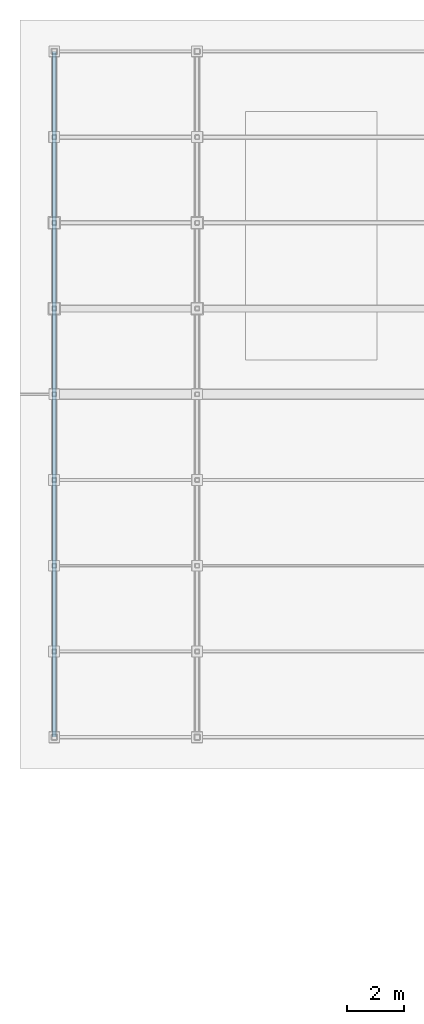
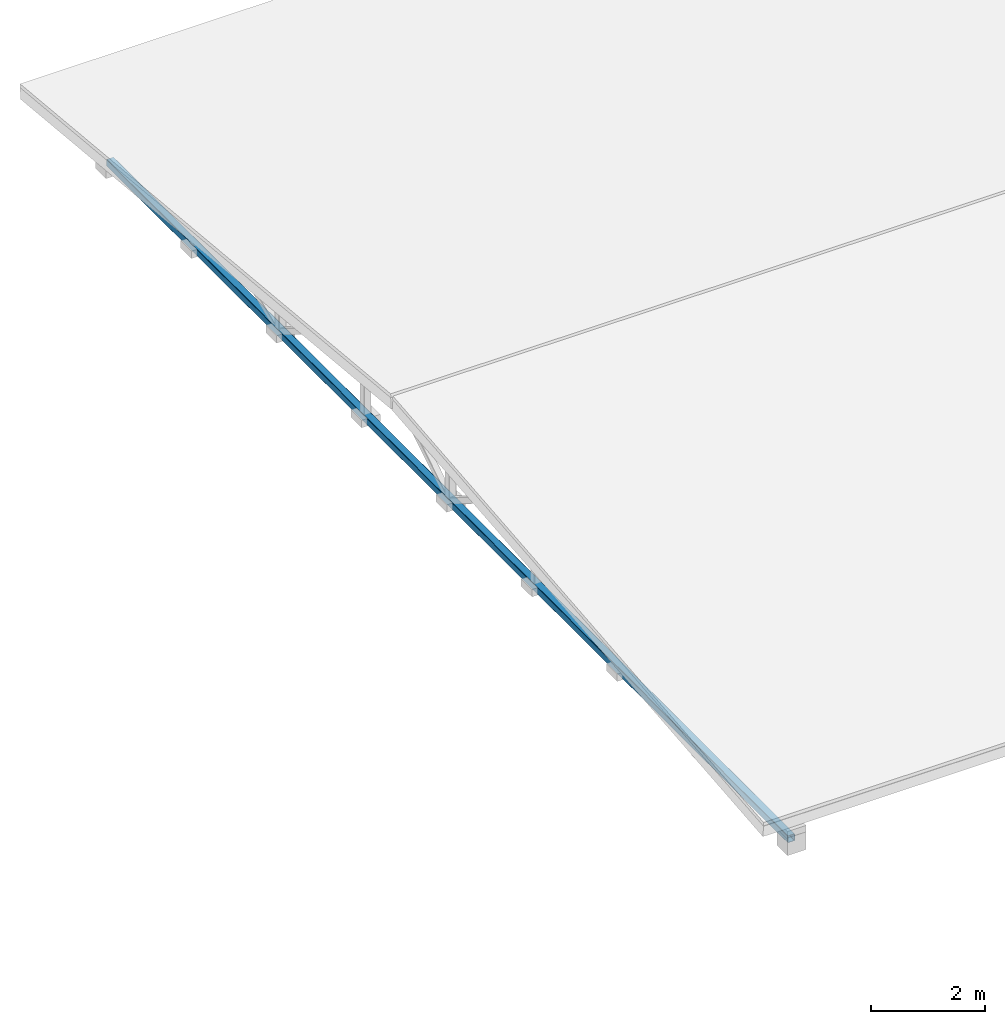
# One storey, part 9 of 25: 1 beam.
"""IFC4 building model written with IfcOpenShell, lengths in metres."""

from ifc_helpers import new_model, si_unit, direction, frame, origin, origin_2d, place, context, subcontext, project, spatial, hollow_rectangle, extrude, material, material_profile, profile_set, type_object, element, save


model = new_model("IFC4")

# Units and contexts
model_context = context("Model", 3, precision=1e-05, world=origin(), true_north=direction((0.0, 1.0)))
body_context = subcontext(model_context, "Body", "Model", "MODEL_VIEW")
ifc_project = project(units=[si_unit("LENGTHUNIT", "METRE"), si_unit("AREAUNIT", "SQUARE_METRE"), si_unit("VOLUMEUNIT", "CUBIC_METRE"), si_unit("PLANEANGLEUNIT", "RADIAN"), si_unit("MASSUNIT", "GRAM", prefix="KILO"), si_unit("THERMODYNAMICTEMPERATUREUNIT", "KELVIN"), si_unit("POWERUNIT", "WATT")], contexts=[model_context])

# Site, building, storey
site_placement = place(None, origin())
site = spatial("IfcSite", under=ifc_project, at=site_placement, CompositionType="ELEMENT")
building_placement = place(site_placement, origin())
building = spatial("IfcBuilding", under=site, at=building_placement, Name="Zelmaris Science Centre", CompositionType="ELEMENT")
storey_placement = place(building_placement, frame((0.0, 0.0, 30.0)))
storey = spatial("IfcBuildingStorey", under=building, at=storey_placement, Name="RF", CompositionType="ELEMENT", Elevation=30.0)

# Beam
ifc_material = material(Name="Steel ASTM A500 Grade C", Category="steel")
ifc_material_profile = material_profile(ifc_material, hollow_rectangle(XDim=0.15234375, YDim=0.15234375, WallThickness=0.0087890625, InnerFilletRadius=0.0087890625, OuterFilletRadius=0.017822265625, at=origin_2d()), Name="HSS152X152X10")
ifc_profile_set = profile_set([ifc_material_profile], Name="Steel ASTM A500 Grade C")
beam_type = type_object("IfcBeamType", Name="Beam G-21 HSS152X152X10", PredefinedType="BEAM", material=ifc_profile_set)
beam_placement = place(storey_placement, frame((58.0, 64.0, 0.347412109375), z_axis=(0.0, 1.0, 0.0), x_axis=(-1.0, 0.0, 0.0)))
element("IfcBeam", 1, at=beam_placement, inside=storey, type_object=beam_type, Name="RF-V5 Roof truss 1 bottom chord", PredefinedType="BEAM", context=body_context, shape_type="SweptSolid", body=[
    extrude(hollow_rectangle(XDim=0.15234375, YDim=0.15234375, WallThickness=0.0087890625, InnerFilletRadius=0.0087890625, OuterFilletRadius=0.017822265625, at=origin_2d()), origin(), (0.0, 0.0, 1.0), 24.0),
])

save(model, "model.ifc")
